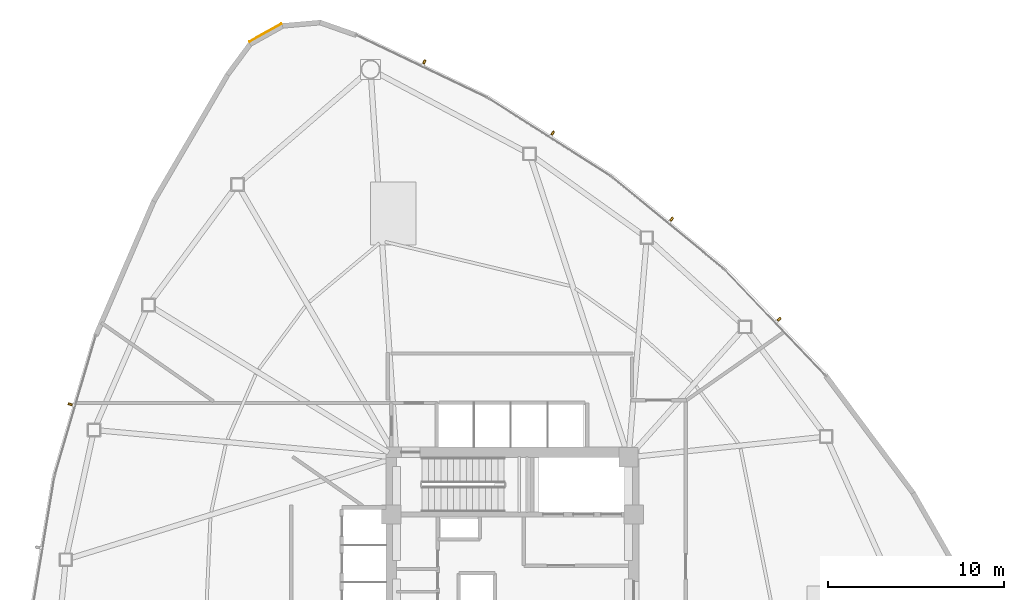
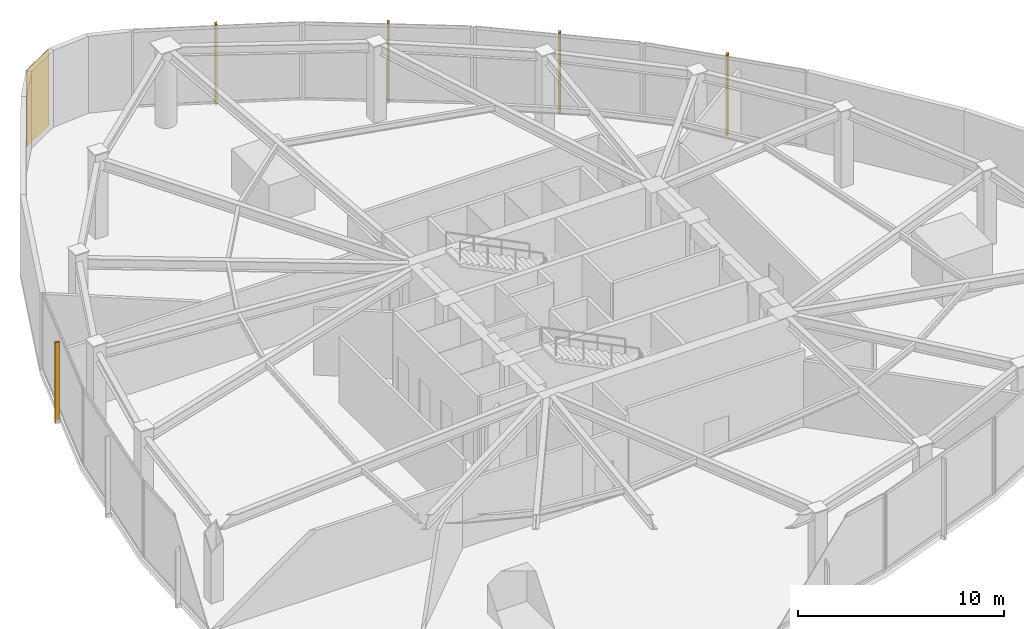
# One storey, part 15 of 16: 5 shading devices, 1 covering.
"""IFC4 building model written with IfcOpenShell, lengths in metres."""

from ifc_helpers import new_model, si_unit, direction, frame, origin, origin_2d, place, context, subcontext, project, spatial, rectangle, extrude, source, transform, mapped, material, layer, layer_set, type_object, type_shapes, element, save


model = new_model("IFC4")

# Units and contexts
model_context = context("Model", 3, precision=1e-05, world=origin(), true_north=direction((0.0, 1.0)))
body_context = subcontext(model_context, "Body", "Model", "MODEL_VIEW")
ifc_project = project(units=[si_unit("LENGTHUNIT", "METRE"), si_unit("AREAUNIT", "SQUARE_METRE"), si_unit("VOLUMEUNIT", "CUBIC_METRE"), si_unit("PLANEANGLEUNIT", "RADIAN"), si_unit("MASSUNIT", "GRAM", prefix="KILO")], contexts=[model_context])

# Site, building, storey
site_placement = place(None, origin())
site = spatial("IfcSite", under=ifc_project, at=site_placement, CompositionType="ELEMENT")
building_placement = place(site_placement, origin())
building = spatial("IfcBuilding", under=site, at=building_placement, Name="Tavelor Broadcast Tower", CompositionType="ELEMENT")
storey_placement = place(building_placement, frame((0.0, 0.0, 97.800048828125)))
storey = spatial("IfcBuildingStorey", under=building, at=storey_placement, Name="L23", CompositionType="ELEMENT", Elevation=97.800048828125)

# Covering
ifc_material_1 = material(Name="Copper-Bronze Anodized Aluminium", Category="aluminium")
ifc_layer = layer(ifc_material_1, 0.050048828125)
ifc_layer_set = layer_set([ifc_layer], Name="Copper-Bronze Anodized Aluminium")
covering_type = type_object("IfcCoveringType", Name="Champagne-Bronze Corner Pier Metal Cladding 50 mm", PredefinedType="CLADDING", material=ifc_layer_set)
covering_placement = place(storey_placement, frame((35.940185546875, 75.3544921875, 0.02001953125), z_axis=(0.0, 0.0, 1.0), x_axis=(-0.872496007073, -0.488621241497, 0.0)))
element("IfcCovering", 1, at=covering_placement, inside=storey, type_object=covering_type, Name="L23 Champagne-Bronze Corner Cladding 03", PredefinedType="CLADDING", context=body_context, shape_type="SweptSolid", body=[
    extrude(rectangle(XDim=2.093017578125, YDim=0.050048828125, at=origin_2d()), origin(), (0.0, 0.0, 1.0), 4.510009765625),
])

# Shading devices
ifc_material_2 = material(Name="Kiln-Fired Glazed Terracotta", Category="masonry")
shading_device_type = type_object("IfcShadingDeviceType", Name="Extruded Terracotta Baguette Sun-Screen 110x240", PredefinedType="JALOUSIE", material=ifc_material_2)
shared_shape = source(origin(), body_context, "Body", "SweptSolid", [
    extrude(rectangle(XDim=0.110107421875, YDim=0.239990234375, at=origin_2d()), origin(), (0.0, 0.0, 1.0), 4.7900390625),
])
type_shapes(shading_device_type, [shared_shape])
for number, where, z_axis, x_axis, name in (
    (2, (24.837158203125, 54.22216796875, -0.260009765625), (0.0, 0.0, 1.0), (-0.2820065759, -0.959412471854, 0.0), "L23 Terracotta Baguette Fin 229"),
    (3, (65.168212890625, 59.062744140625, -0.260009765625), (0.0, 0.0, 1.0), (-0.689872285383, 0.723931094691, 0.0), "L23 Terracotta Baguette Fin 237"),
    (4, (59.050537109375, 64.74755859375, -0.260009765625), (0.0, 0.0, 1.0), (-0.772511963678, 0.635000209429, 0.0), "L23 Terracotta Baguette Fin 238"),
    (5, (52.2900390625, 69.650146484375, -0.260009765625), (0.0, 0.0, 1.0), (-0.843672659607, 0.536857935987, 0.0), "L23 Terracotta Baguette Fin 239"),
    (6, (44.98583984375, 73.69873046875, -0.260009765625), (0.0, 0.0, 1.0), (-0.902434952642, 0.430826132274, 0.0), "L23 Terracotta Baguette Fin 240"),
):
    element("IfcShadingDevice", number, at=place(storey_placement, frame(where, z_axis=z_axis, x_axis=x_axis)), inside=storey, type_object=shading_device_type, Name=name, PredefinedType="JALOUSIE", context=body_context, shape_type="MappedRepresentation", body=[
        mapped(shared_shape, transform((0.0, 0.0, 0.0), scale=1.0)),
    ])

save(model, "model.ifc")
